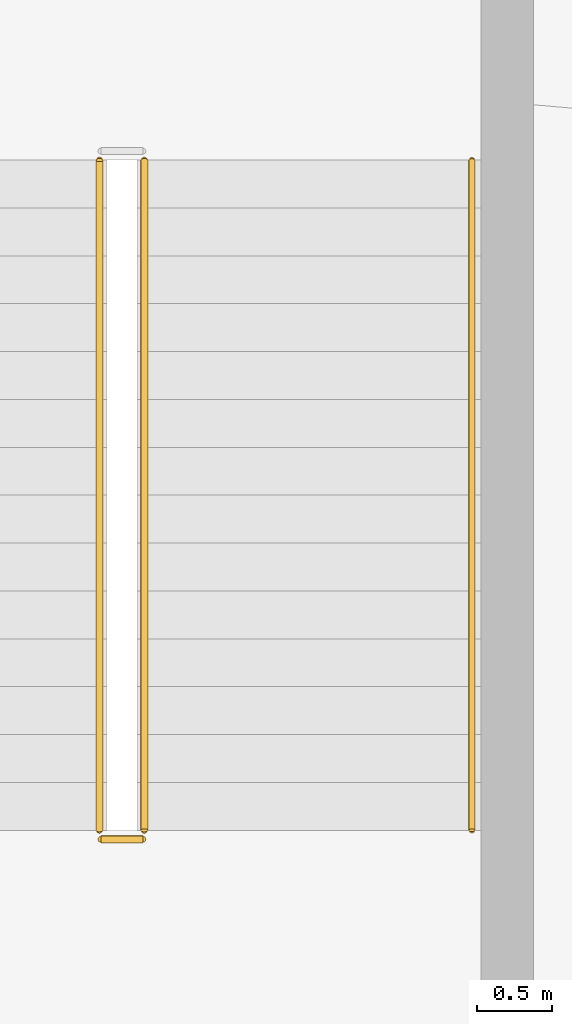
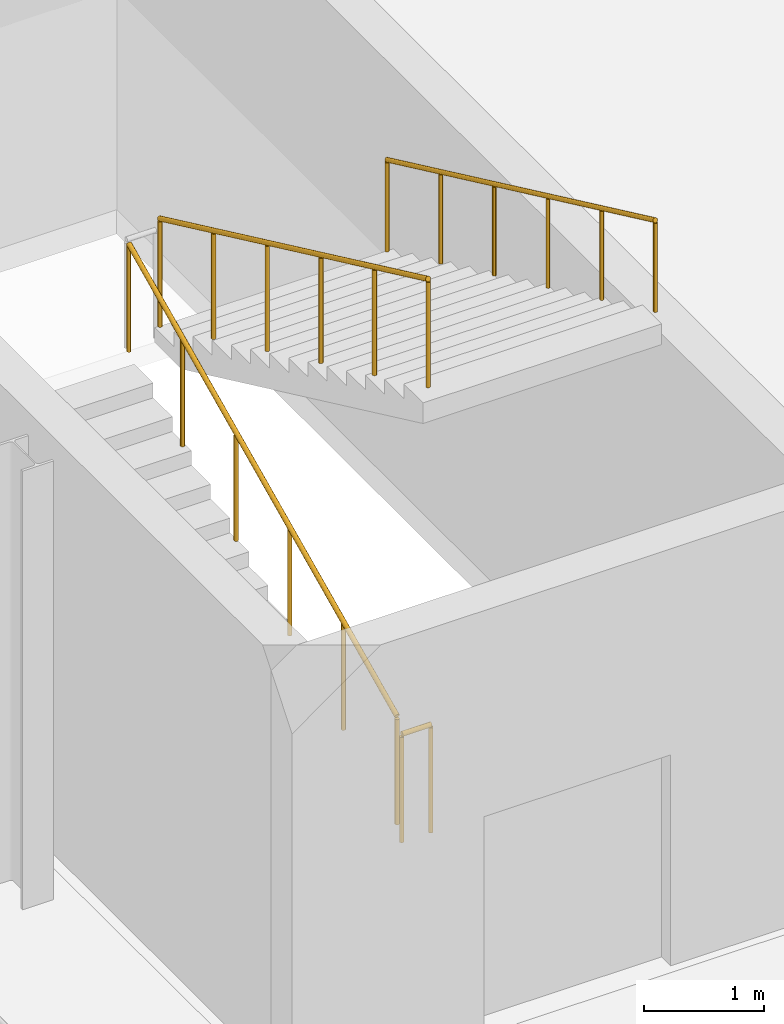
# One storey, part 82 of 91: 4 railings, 1 element without a shape of its own.
"""IFC4 building model written with IfcOpenShell, lengths in metres."""

from ifc_helpers import new_model, si_unit, direction, frame, origin, origin_2d, place, context, subcontext, project, spatial, circle, extrude, material, type_object, element, aggregate, save


model = new_model("IFC4")

# Units and contexts
model_context = context("Model", 3, precision=1e-05, world=origin(), true_north=direction((0.0, 1.0)))
body_context = subcontext(model_context, "Body", "Model", "MODEL_VIEW")
ifc_project = project(units=[si_unit("LENGTHUNIT", "METRE"), si_unit("AREAUNIT", "SQUARE_METRE"), si_unit("VOLUMEUNIT", "CUBIC_METRE"), si_unit("PLANEANGLEUNIT", "RADIAN"), si_unit("MASSUNIT", "GRAM", prefix="KILO")], contexts=[model_context])

# Site, building, storey
site_placement = place(None, origin())
site = spatial("IfcSite", under=ifc_project, at=site_placement, CompositionType="ELEMENT")
building_placement = place(site_placement, origin())
building = spatial("IfcBuilding", under=site, at=building_placement, Name="Kolvaren Corner Interchange", CompositionType="ELEMENT")
storey_placement = place(building_placement, frame((0.0, 0.0, 6.0)))
storey = spatial("IfcBuildingStorey", under=building, at=storey_placement, Name="L02", CompositionType="ELEMENT", Elevation=6.0)

# Railing
ifc_material_1 = material(Name="Powder-Coated Steel Stairwell Guardrail", Category="steel")
railing_type_1 = type_object("IfcRailingType", Name="RLT-STAIR-GRD1120", PredefinedType="GUARDRAIL", material=ifc_material_1)
railing_1_placement = place(storey_placement, frame((117.110107421875, 53.090087890625, 0.0)))
element("IfcRailing", 1, at=railing_1_placement, inside=storey, type_object=railing_type_1, Name="Core C4 East Concourse Transfer Stair L02 Landing Edge Guardrail", PredefinedType="GUARDRAIL", context=body_context, shape_type="SweptSolid", body=[
    extrude(circle(Radius=0.02392578125, at=origin_2d()), frame((0.0, 0.0, 1.09619140625), z_axis=(1.0, 0.0, 0.0), x_axis=(0.0, 1.0, 0.0)), (0.0, 0.0, 1.0), 0.27978515625),
    extrude(circle(Radius=0.02001953125, at=origin_2d()), origin(), (0.0, 0.0, 1.0), 1.072021484375),
    extrude(circle(Radius=0.02001953125, at=origin_2d()), frame((0.27978515625, 0.0, 0.0)), (0.0, 0.0, 1.0), 1.072021484375),
])

# Stair, railings
ifc_material_2 = material(Name="Concrete C35/45", Category="concrete")
stair_type = type_object("IfcStairType", Name="ST-TR-2300", PredefinedType="HALF_TURN_STAIR", material=ifc_material_2)
stair_placement = place(storey_placement, origin())
stair = element("IfcStair", 2, at=stair_placement, inside=storey, type_object=stair_type, Name="Core C4 East Concourse Transfer Stair L02 to L03 Stair", PredefinedType="HALF_TURN_STAIR")
railing_2_placement = place(storey_placement, frame((117.10009765625, 53.14990234375, 0.14990234375)))
railing_2 = element("IfcRailing", 3, at=railing_2_placement, type_object=railing_type_1, Name="Core C4 East Concourse Transfer Stair L02 Lower Flight Well Guardrail", PredefinedType="GUARDRAIL", context=body_context, shape_type="SweptSolid", body=[
    extrude(circle(Radius=0.02392578125, at=origin_2d()), frame((0.0, 0.0, 1.09619140625), z_axis=(0.0, 0.905450639465, 0.424451574969), x_axis=(-1.0, 0.0, 0.0)), (0.0, 0.0, 1.0), 4.94775390625),
    extrude(circle(Radius=0.02001953125, at=origin_2d()), origin(), (0.0, 0.0, 1.0), 1.072021484375),
    extrude(circle(Radius=0.02001953125, at=origin_2d()), frame((0.0, 0.89599609375, 0.419921875)), (0.0, 0.0, 1.0), 1.072021484375),
    extrude(circle(Radius=0.02001953125, at=origin_2d()), frame((0.0, 1.7919921875, 0.840087890625)), (0.0, 0.0, 1.0), 1.072021484375),
    extrude(circle(Radius=0.02001953125, at=origin_2d()), frame((0.0, 2.68798828125, 1.260009765625)), (0.0, 0.0, 1.0), 1.072021484375),
    extrude(circle(Radius=0.02001953125, at=origin_2d()), frame((0.0, 3.583984375, 1.68017578125)), (0.0, 0.0, 1.0), 1.072021484375),
    extrude(circle(Radius=0.02001953125, at=origin_2d()), frame((0.0, 4.47998046875, 2.10009765625)), (0.0, 0.0, 1.0), 1.072021484375),
])
railing_3_placement = place(storey_placement, frame((117.39990234375, 57.6298828125, 2.39990234375)))
railing_3 = element("IfcRailing", 4, at=railing_3_placement, type_object=railing_type_1, Name="Core C4 East Concourse Transfer Stair L02 Upper Flight Well Guardrail", PredefinedType="GUARDRAIL", context=body_context, shape_type="SweptSolid", body=[
    extrude(circle(Radius=0.02392578125, at=origin_2d()), frame((0.0, 0.0, 1.09619140625), z_axis=(0.0, -0.905450639465, 0.424451574969), x_axis=(1.0, 0.0, 0.0)), (0.0, 0.0, 1.0), 4.94775390625),
    extrude(circle(Radius=0.02001953125, at=origin_2d()), origin(), (0.0, 0.0, 1.0), 1.072021484375),
    extrude(circle(Radius=0.02001953125, at=origin_2d()), frame((0.0, -0.89599609375, 0.419921875)), (0.0, 0.0, 1.0), 1.072021484375),
    extrude(circle(Radius=0.02001953125, at=origin_2d()), frame((0.0, -1.7919921875, 0.840087890625)), (0.0, 0.0, 1.0), 1.072021484375),
    extrude(circle(Radius=0.02001953125, at=origin_2d()), frame((0.0, -2.68798828125, 1.260009765625)), (0.0, 0.0, 1.0), 1.072021484375),
    extrude(circle(Radius=0.02001953125, at=origin_2d()), frame((0.0, -3.583984375, 1.68017578125)), (0.0, 0.0, 1.0), 1.072021484375),
    extrude(circle(Radius=0.02001953125, at=origin_2d()), frame((0.0, -4.47998046875, 2.10009765625)), (0.0, 0.0, 1.0), 1.072021484375),
])
ifc_material_3 = material(Name="Brushed Stainless Steel Stair Handrail", Category="steel")
railing_type_2 = type_object("IfcRailingType", Name="RLT-STAIR-HR950", PredefinedType="HANDRAIL", material=ifc_material_3)
railing_4_placement = place(storey_placement, frame((119.590087890625, 57.6298828125, 2.39990234375)))
railing_4 = element("IfcRailing", 5, at=railing_4_placement, type_object=railing_type_2, Name="Core C4 East Concourse Transfer Stair L02 Upper Flight Wall Handrail", PredefinedType="HANDRAIL", context=body_context, shape_type="SweptSolid", body=[
    extrude(circle(Radius=0.02197265625, at=origin_2d()), frame((0.0, 0.0, 0.927978515625), z_axis=(0.0, -0.905450639465, 0.424451574969), x_axis=(1.0, 0.0, 0.0)), (0.0, 0.0, 1.0), 4.94775390625),
    extrude(circle(Radius=0.01806640625, at=origin_2d()), origin(), (0.0, 0.0, 1.0), 0.906005859375),
    extrude(circle(Radius=0.01806640625, at=origin_2d()), frame((0.0, -0.89599609375, 0.419921875)), (0.0, 0.0, 1.0), 0.906005859375),
    extrude(circle(Radius=0.01806640625, at=origin_2d()), frame((0.0, -1.7919921875, 0.840087890625)), (0.0, 0.0, 1.0), 0.906005859375),
    extrude(circle(Radius=0.01806640625, at=origin_2d()), frame((0.0, -2.68798828125, 1.260009765625)), (0.0, 0.0, 1.0), 0.906005859375),
    extrude(circle(Radius=0.01806640625, at=origin_2d()), frame((0.0, -3.583984375, 1.68017578125)), (0.0, 0.0, 1.0), 0.906005859375),
    extrude(circle(Radius=0.01806640625, at=origin_2d()), frame((0.0, -4.47998046875, 2.10009765625)), (0.0, 0.0, 1.0), 0.906005859375),
])
aggregate(stair, [railing_2, railing_3, railing_4])

save(model, "model.ifc")
